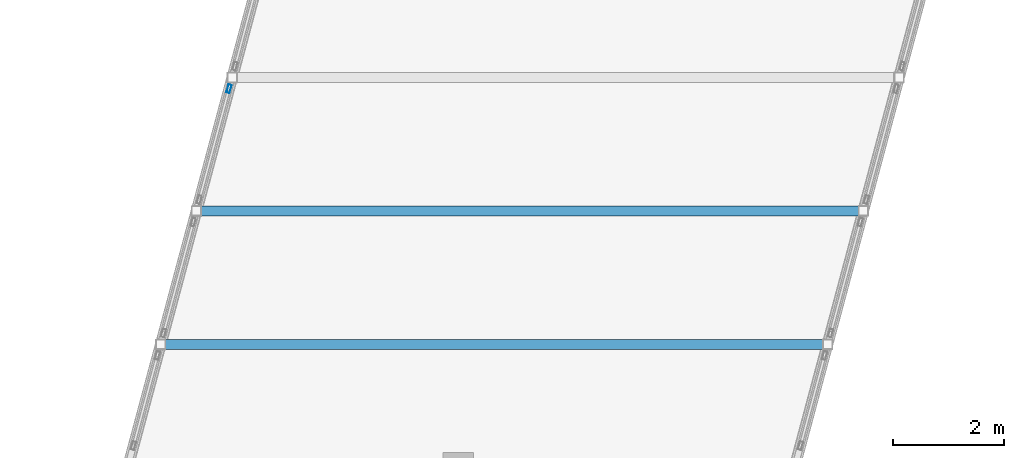
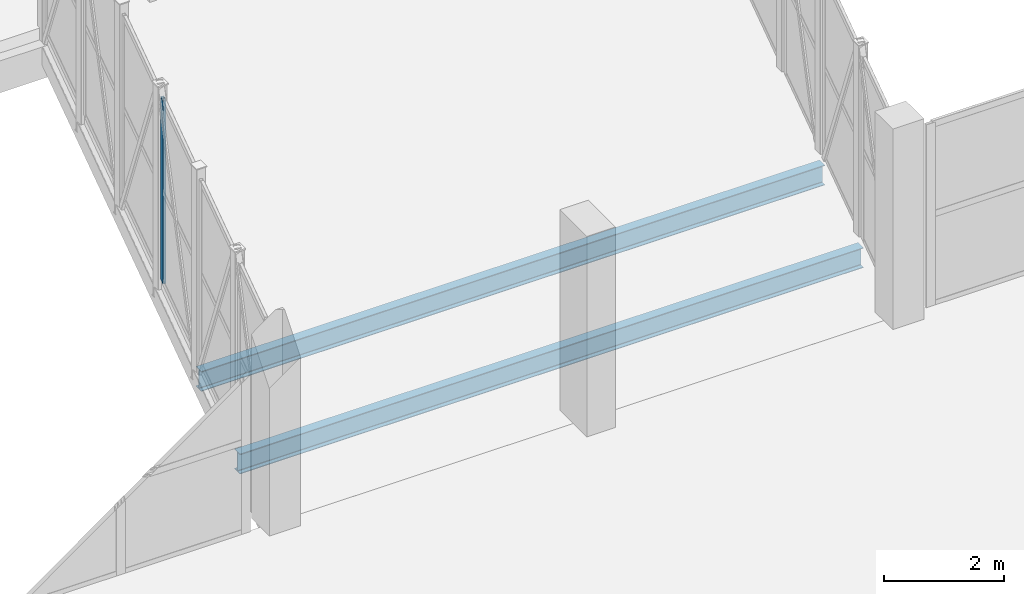
# One storey, part 78 of 127: 2 beams, 1 member, 1 element without a shape of its own.
"""IFC4 building model written with IfcOpenShell, lengths in metres."""

from ifc_helpers import new_model, si_unit, direction, frame, origin, origin_2d, place, context, subcontext, project, spatial, hollow_rectangle, i_section, extrude, material, layer, layer_set, material_profile, profile_set, type_object, element, aggregate, save


model = new_model("IFC4")

# Units and contexts
model_context = context("Model", 3, precision=1e-05, world=origin(), true_north=direction((0.0, 1.0)))
body_context = subcontext(model_context, "Body", "Model", "MODEL_VIEW")
ifc_project = project(units=[si_unit("LENGTHUNIT", "METRE"), si_unit("AREAUNIT", "SQUARE_METRE"), si_unit("VOLUMEUNIT", "CUBIC_METRE"), si_unit("PLANEANGLEUNIT", "RADIAN"), si_unit("MASSUNIT", "GRAM", prefix="KILO")], contexts=[model_context])

# Site, building, storey
site_placement = place(None, origin())
site = spatial("IfcSite", under=ifc_project, at=site_placement, CompositionType="ELEMENT")
building_placement = place(site_placement, origin())
building = spatial("IfcBuilding", under=site, at=building_placement, Name="Dunvalen Ferry Terminal", CompositionType="ELEMENT")
storey_placement = place(building_placement, frame((0.0, 0.0, 5.760009765625)))
storey = spatial("IfcBuildingStorey", under=building, at=storey_placement, Name="L01", CompositionType="ELEMENT", Elevation=5.760009765625)

# Curtain wall, member
ifc_material_1 = material(Name="Anodised marine aluminium and solar-control glazing", Category="aluminium")
ifc_layer = layer(ifc_material_1, 0.159912109375, Name="Anodised marine aluminium and solar-control glazing")
ifc_layer_set = layer_set([ifc_layer], Name="Anodised marine aluminium and solar-control glazing")
curtain_wall_type = type_object("IfcCurtainWallType", Name="ENV-CW-SYS-07", PredefinedType="NOTDEFINED", material=ifc_layer_set)
curtain_wall_placement = place(storey_placement, origin())
curtain_wall = element("IfcCurtainWall", 1, at=curtain_wall_placement, inside=storey, type_object=curtain_wall_type, Name="L01 Curtain Wall CW-BRG2-S1-3", PredefinedType="NOTDEFINED")
ifc_material_2 = material(Name="Anodised marine aluminium EN AW-6063 T6", Category="aluminium")
ifc_material_profile_1 = material_profile(ifc_material_2, hollow_rectangle(XDim=0.06005859375, YDim=0.14990234375, WallThickness=0.00341796875, InnerFilletRadius=0.00341796875, OuterFilletRadius=0.007080078125, at=origin_2d()), Name="Anodised marine aluminium EN AW-6063 T6")
ifc_profile_set_1 = profile_set([ifc_material_profile_1], Name="Anodised marine aluminium EN AW-6063 T6")
member_type = type_object("IfcMemberType", Name="ENV-CW-MUL-3", PredefinedType="MULLION", material=ifc_profile_set_1)
member_placement = place(storey_placement, frame((127.875244140625, 93.398193359375, 0.0), z_axis=(0.0, 0.0, 1.0), x_axis=(-0.965934620531, 0.258786222315, 0.0)))
member = element("IfcMember", 2, at=member_placement, type_object=member_type, Name="CW-07 mullion 2", PredefinedType="MULLION", context=body_context, shape_type="SweptSolid", body=[
    extrude(hollow_rectangle(XDim=0.06005859375, YDim=0.14990234375, WallThickness=0.00341796875, InnerFilletRadius=0.00341796875, OuterFilletRadius=0.007080078125, at=origin_2d()), origin(), (0.0, 0.0, 1.0), 3.719970703125),
])
aggregate(curtain_wall, [member])

# Beams
ifc_material_3 = material(Name="Steel S355", Category="steel")
ifc_material_profile_2 = material_profile(ifc_material_3, i_section(OverallWidth=0.177978515625, OverallDepth=0.406494140625, WebThickness=0.0078125, FlangeThickness=0.0126953125, FilletRadius=0.01025390625, at=origin_2d()), Name="Steel S355")
ifc_profile_set_2 = profile_set([ifc_material_profile_2], Name="Steel S355")
beam_type = type_object("IfcBeamType", Name="STR-BM-UKB406", PredefinedType="JOIST", material=ifc_profile_set_2)
for number, where, z_axis, x_axis, name in (
    (3, (126.64306640625, 88.800048828125, -0.449951171875), (1.0, 0.0, 0.0), (0.0, 1.0, 0.0), "Boarding Bridge 2 Floor Crossbeam 1"),
    (4, (127.2861328125, 91.199951171875, -0.449951171875), (1.0, 0.0, 0.0), (0.0, 1.0, 0.0), "Boarding Bridge 2 Floor Crossbeam 2"),
):
    element("IfcBeam", number, at=place(storey_placement, frame(where, z_axis=z_axis, x_axis=x_axis)), inside=storey, type_object=beam_type, Name=name, PredefinedType="JOIST", context=body_context, shape_type="SweptSolid", body=[
        extrude(i_section(OverallWidth=0.177978515625, OverallDepth=0.406494140625, WebThickness=0.0078125, FlangeThickness=0.0126953125, FilletRadius=0.01025390625, at=origin_2d()), origin(), (0.0, 0.0, 1.0), 12.0),
    ])

save(model, "model.ifc")
